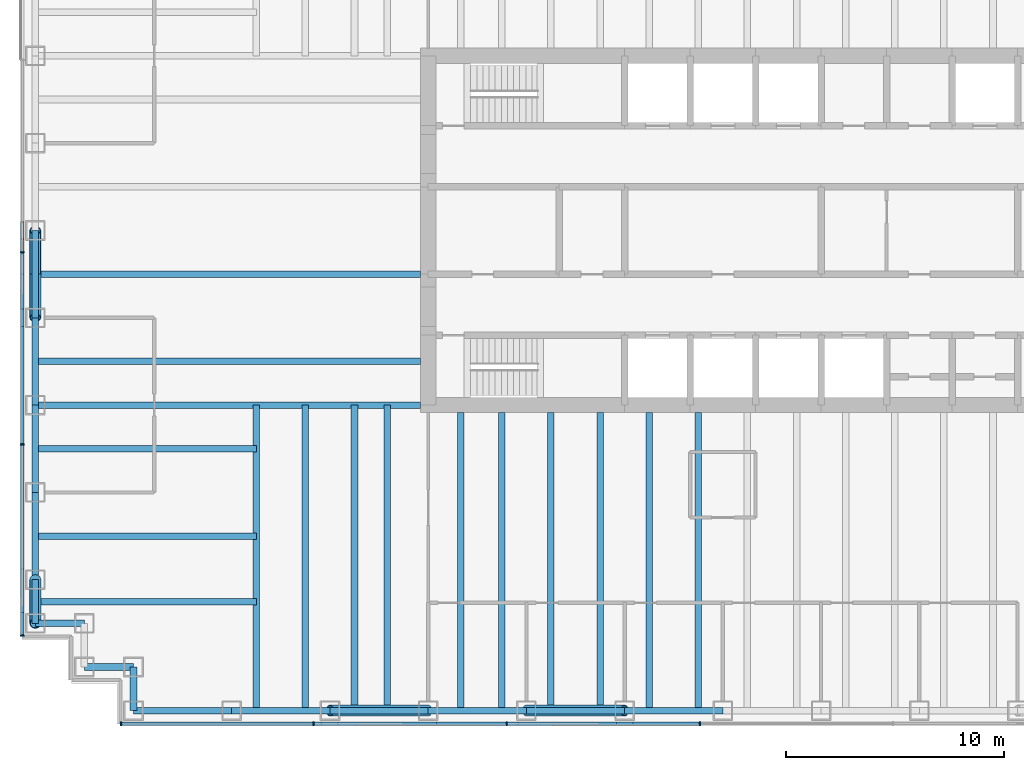
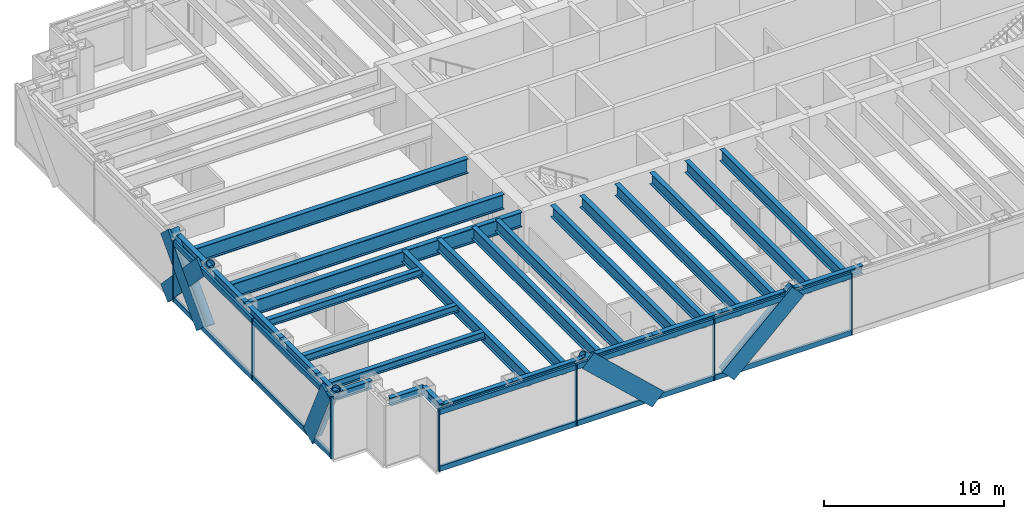
# One storey, part 2 of 15: 30 beams, 27 members, 2 elements without a shape of their own.
"""IFC4 building model written with IfcOpenShell, lengths in metres."""

import ifcopenshell
import ifcopenshell.guid

model = None  # the IFC model being written
_history = None  # IfcOwnerHistory: only IFC2X3 demands one
_inside = {}  # id of a spatial element -> (the spatial element, [elements in it])
_under = {}  # id of a project, library or spatial element -> (it, [spatial elements below it])
_declared = {}  # id of a project -> (the project, [libraries it declares])
_typed = {}  # id of a type object -> (the type object, [elements of that type])
_made_of = {}  # id of a material, layer set ... -> (it, [elements and type objects made of it])


def new_model(schema):
    """Start an empty IFC model of exactly this schema.

    Asked for "IFC4X3", IfcOpenShell would pick the latest addendum, in which some entities
    have other attributes; the version numbers below select the first issue.
    IFC2X3 requires an IfcOwnerHistory on every rooted entity: one is made here for all.
    """
    global model, _history
    if schema == "IFC4X3":
        model = ifcopenshell.file(schema_version=(4, 3, 0, 0))
    else:
        model = ifcopenshell.file(schema=schema)
    _inside.clear()
    _under.clear()
    _declared.clear()
    _typed.clear()
    _made_of.clear()
    _history = None
    if model.schema == "IFC2X3":
        org = make("IfcOrganization", Name="unknown")
        user = make(
            "IfcPersonAndOrganization",
            ThePerson=make("IfcPerson", FamilyName="unknown"),
            TheOrganization=org,
        )
        app = make(
            "IfcApplication",
            ApplicationDeveloper=org,
            Version="unknown",
            ApplicationFullName="unknown",
            ApplicationIdentifier="unknown",
        )
        _history = make(
            "IfcOwnerHistory",
            OwningUser=user,
            OwningApplication=app,
            ChangeAction="ADDED",
            CreationDate=0,
        )
    return model


def make(cls, **values):
    """One entity of the class cls with the attributes given. An attribute that is None is left unset."""
    return model.create_entity(
        cls, **{name: value for name, value in values.items() if value is not None}
    )


def rooted(cls, **values):
    """An entity with a GlobalId (a new one), such as an element, a storey or a relation."""
    return make(cls, GlobalId=ifcopenshell.guid.new(), OwnerHistory=_history, **values)


def si_unit(unit_type, name, prefix=None):
    """IfcSIUnit, for example si_unit("LENGTHUNIT", "METRE", prefix="MILLI")."""
    return make("IfcSIUnit", UnitType=unit_type, Prefix=prefix, Name=name)


def assignment(units):
    """IfcUnitAssignment: the units of a project."""
    return None if units is None else make("IfcUnitAssignment", Units=units)


def point(xyz):
    """IfcCartesianPoint."""
    return None if xyz is None else make("IfcCartesianPoint", Coordinates=xyz)


def direction(xyz):
    """IfcDirection."""
    return None if xyz is None else make("IfcDirection", DirectionRatios=xyz)


def frame(location, z_axis=None, x_axis=None):
    """IfcAxis2Placement3D, a coordinate frame: its origin and axes. An axis left out is left unset."""
    return make(
        "IfcAxis2Placement3D",
        Location=point(location),
        Axis=direction(z_axis),
        RefDirection=direction(x_axis),
    )


def frame_2d(location, x_axis=None):
    """IfcAxis2Placement2D, a coordinate frame in the plane: its origin and x axis."""
    return make(
        "IfcAxis2Placement2D", Location=point(location), RefDirection=direction(x_axis)
    )


def origin():
    """The frame at (0, 0, 0) with its axes left unset."""
    return frame((0.0, 0.0, 0.0))


def origin_2d():
    """The frame at (0, 0) in the plane with its x axis left unset."""
    return frame_2d((0.0, 0.0))


def place(relative_to, where):
    """IfcLocalPlacement: puts the frame where relative to a parent placement (None: the world)."""
    return make(
        "IfcLocalPlacement", PlacementRelTo=relative_to, RelativePlacement=where
    )


def context(
    kind, dimensions, precision=None, world=None, true_north=None, identifier=None
):
    """IfcGeometricRepresentationContext, for example the 3D "Model" context."""
    return make(
        "IfcGeometricRepresentationContext",
        ContextIdentifier=identifier,
        ContextType=kind,
        CoordinateSpaceDimension=dimensions,
        Precision=precision,
        WorldCoordinateSystem=world,
        TrueNorth=true_north,
    )


def subcontext(parent, identifier, kind, view, scale=None):
    """IfcGeometricRepresentationSubContext, for example "Body" below "Model"."""
    return make(
        "IfcGeometricRepresentationSubContext",
        ContextIdentifier=identifier,
        ContextType=kind,
        ParentContext=parent,
        TargetScale=scale,
        TargetView=view,
    )


def project(units=None, contexts=None):
    """IfcProject with its units and contexts."""
    return rooted(
        "IfcProject",
        Name="project",
        RepresentationContexts=contexts,
        UnitsInContext=assignment(units),
    )


def spatial(cls, under=None, at=None, **own):
    """A site, building, storey or space (cls), placed at a placement, below another one or the project."""
    s = rooted(cls, ObjectPlacement=at, **own)
    if under is not None:
        _under.setdefault(under.id(), (under, []))[1].append(s)
    return s


def profile(cls, at=None, kind="AREA", **sizes):
    """A parametric profile (cls). Its sizes go by their IFC names, for example OverallWidth=200.0."""
    return make(cls, ProfileType=kind, Position=at, **sizes)


def rectangle(**sizes):
    """IfcRectangleProfileDef."""
    return profile("IfcRectangleProfileDef", **sizes)


def hollow_circle(**sizes):
    """IfcCircleHollowProfileDef."""
    return profile("IfcCircleHollowProfileDef", **sizes)


def i_section(**sizes):
    """IfcIShapeProfileDef."""
    return profile("IfcIShapeProfileDef", **sizes)


def extrude(swept, where, along, depth):
    """IfcExtrudedAreaSolid: the profile swept, set in the frame where, extruded along a direction by depth."""
    return make(
        "IfcExtrudedAreaSolid",
        SweptArea=swept,
        Position=where,
        ExtrudedDirection=direction(along),
        Depth=depth,
    )


def shape(context_of_items, identifier, shape_type, items):
    """IfcShapeRepresentation: the items that make up one representation, for example the "Body"."""
    return make(
        "IfcShapeRepresentation",
        ContextOfItems=context_of_items,
        RepresentationIdentifier=identifier,
        RepresentationType=shape_type,
        Items=items,
    )


def material(Name=None, Category=None):
    """IfcMaterial."""
    return make("IfcMaterial", Name=Name, Category=Category)


def material_profile(
    of_material, cross_section, Name=None, Category=None, Priority=None
):
    """IfcMaterialProfile: a cross section and its material."""
    return make(
        "IfcMaterialProfile",
        Name=Name,
        Material=of_material,
        Profile=cross_section,
        Priority=Priority,
        Category=Category,
    )


def profile_set(profiles, Name=None, composite=None):
    """IfcMaterialProfileSet."""
    return make(
        "IfcMaterialProfileSet",
        Name=Name,
        MaterialProfiles=profiles,
        CompositeProfile=composite,
    )


def made_of(thing, what):
    """Note that an element or type object is made of a material, layer set ...; save() writes the relation."""
    if what is not None:
        _made_of.setdefault(what.id(), (what, []))[1].append(thing)
    return thing


def type_object(cls, material=None, **own):
    """A type object (cls), such as IfcWallType, which elements share."""
    return made_of(rooted(cls, **own), material)


def element(
    cls,
    number,
    at=None,
    inside=None,
    cuts=None,
    type_object=None,
    material=None,
    context=None,
    identifier="Body",
    shape_type=None,
    held_by="IfcProductDefinitionShape",
    body=None,
    shapes=None,
    **own,
):
    """One element of the class cls, such as IfcWall. Its Tag is "e" and its number.

    at: its placement. inside: the storey or other place that contains it. cuts: it is an
    opening in that element (IfcRelVoidsElement). A single representation is given by context,
    identifier, shape_type and body (its items); several are given by shapes. held_by: the class
    of the entity that holds the representations. save() writes the other relations.
    """
    e = rooted(cls, Tag="e%d" % number, ObjectPlacement=at, **own)
    if body is not None:
        shapes = [shape(context, identifier, shape_type, body)]
    if shapes is not None:
        e.Representation = make(held_by, Representations=shapes)
    if inside is not None:
        _inside.setdefault(inside.id(), (inside, []))[1].append(e)
    if cuts is not None:
        rooted(
            "IfcRelVoidsElement", RelatingBuildingElement=cuts, RelatedOpeningElement=e
        )
    if type_object is not None:
        _typed.setdefault(type_object.id(), (type_object, []))[1].append(e)
    return made_of(e, material)


def aggregate(whole, parts):
    """IfcRelAggregates: a whole, such as a stair, and the parts it consists of."""
    return rooted("IfcRelAggregates", RelatingObject=whole, RelatedObjects=parts)


def save(model, path):
    """Write the relations noted so far, then the file.

    IfcRelAggregates (storeys below a building ...), IfcRelContainedInSpatialStructure (elements
    in a storey), IfcRelDefinesByType, IfcRelAssociatesMaterial and IfcRelDeclares: one each for
    every whole, place, type object, material and project.
    """
    for whole, parts in _under.values():
        aggregate(whole, parts)
    for where, things in _inside.values():
        rooted(
            "IfcRelContainedInSpatialStructure",
            RelatedElements=things,
            RelatingStructure=where,
        )
    for kind, things in _typed.values():
        rooted("IfcRelDefinesByType", RelatedObjects=things, RelatingType=kind)
    for what, things in _made_of.values():
        rooted("IfcRelAssociatesMaterial", RelatedObjects=things, RelatingMaterial=what)
    for by, libraries in _declared.values():
        rooted("IfcRelDeclares", RelatingContext=by, RelatedDefinitions=libraries)
    model.write(path)


model = new_model("IFC4")

# Units and contexts
model_context = context("Model", 3, precision=1e-05, world=origin(), true_north=direction((0.0, 1.0)))
body_context = subcontext(model_context, "Body", "Model", "MODEL_VIEW")
ifc_project = project(units=[si_unit("LENGTHUNIT", "METRE"), si_unit("AREAUNIT", "SQUARE_METRE"), si_unit("VOLUMEUNIT", "CUBIC_METRE"), si_unit("PLANEANGLEUNIT", "RADIAN"), si_unit("MASSUNIT", "GRAM", prefix="KILO")], contexts=[model_context])

# Site, building, storey
site_placement = place(None, origin())
site = spatial("IfcSite", under=ifc_project, at=site_placement, CompositionType="ELEMENT")
building_placement = place(site_placement, origin())
building = spatial("IfcBuilding", under=site, at=building_placement, Name="Rheinbord Bourse Tower", CompositionType="ELEMENT")
storey_placement = place(building_placement, frame((0.0, 0.0, 292.10009765625)))
storey = spatial("IfcBuildingStorey", under=building, at=storey_placement, Name="L66", CompositionType="ELEMENT", Elevation=292.10009765625)

# Curtain wall, members
ifc_material_1 = material(Name="Dark glass and black aluminium", Category="aluminium")
curtain_wall_type = type_object("IfcCurtainWallType", Name="CW3 DARK GLASS CURTAIN WALL", PredefinedType="USERDEFINED", material=ifc_material_1)
curtain_wall_1_placement = place(storey_placement, origin())
curtain_wall_1 = element("IfcCurtainWall", 1, at=curtain_wall_1_placement, inside=storey, type_object=curtain_wall_type, Name="Curtain wall CW3 S L66", ObjectType="UNITISED CURTAIN WALL", PredefinedType="USERDEFINED")
ifc_material_2 = material(Name="Black anodised aluminium", Category="aluminium")
ifc_material_profile_1 = material_profile(ifc_material_2, rectangle(XDim=0.14990234375, YDim=1.10791015625, at=origin_2d()), Name="CW3 DIAGONAL MULLION 1108x150")
ifc_profile_set_1 = profile_set([ifc_material_profile_1], Name="Black anodised aluminium")
member_type_1 = type_object("IfcMemberType", Name="CW3 BLACK DIAGONAL MULLION", PredefinedType="USERDEFINED", material=ifc_profile_set_1)
member_1_placement = place(storey_placement, frame((18.0, 1.39990234375, 0.0), z_axis=(-0.73105922506, 0.0, 0.682314010889), x_axis=(0.0, -1.0, 0.0)))
member_1 = element("IfcMember", 2, at=member_1_placement, type_object=member_type_1, Name="CW3 diagonal mullion b", ObjectType="DIAGONAL MULLION", PredefinedType="USERDEFINED", context=body_context, shape_type="SweptSolid", body=[
    extrude(rectangle(XDim=0.14990234375, YDim=1.10791015625, at=origin_2d()), origin(), (0.0, 0.0, 1.0), 6.155517578125),
])
member_2_placement = place(storey_placement, frame((22.5, 1.39990234375, 0.0), z_axis=(0.73105922506, 0.0, 0.682314010889), x_axis=(0.0, 1.0, 0.0)))
member_2 = element("IfcMember", 3, at=member_2_placement, type_object=member_type_1, Name="CW3 diagonal mullion d", ObjectType="DIAGONAL MULLION", PredefinedType="USERDEFINED", context=body_context, shape_type="SweptSolid", body=[
    extrude(rectangle(XDim=0.14990234375, YDim=1.10791015625, at=origin_2d()), origin(), (0.0, 0.0, 1.0), 6.155517578125),
])

curtain_wall_2_placement = place(storey_placement, origin())
curtain_wall_2 = element("IfcCurtainWall", 4, at=curtain_wall_2_placement, inside=storey, type_object=curtain_wall_type, Name="Curtain wall CW3 W L66", ObjectType="UNITISED CURTAIN WALL", PredefinedType="USERDEFINED")
member_3_placement = place(storey_placement, frame((-0.60009765625, 24.0, 0.0), z_axis=(0.0, -0.689659376744, 0.724133926887), x_axis=(1.0, 0.0, 0.0)))
member_3 = element("IfcMember", 5, at=member_3_placement, type_object=member_type_1, Name="CW3 diagonal mullion a", ObjectType="DIAGONAL MULLION", PredefinedType="USERDEFINED", context=body_context, shape_type="SweptSolid", body=[
    extrude(rectangle(XDim=0.14990234375, YDim=1.10791015625, at=origin_2d()), origin(), (0.0, 0.0, 1.0), 5.800048828125),
])
member_4_placement = place(storey_placement, frame((-0.60009765625, 20.0, 0.0), z_axis=(0.0, 0.689659376744, 0.724133926887), x_axis=(-1.0, 0.0, 0.0)))
member_4 = element("IfcMember", 6, at=member_4_placement, type_object=member_type_1, Name="CW3 diagonal mullion b", ObjectType="DIAGONAL MULLION", PredefinedType="USERDEFINED", context=body_context, shape_type="SweptSolid", body=[
    extrude(rectangle(XDim=0.14990234375, YDim=1.10791015625, at=origin_2d()), origin(), (0.0, 0.0, 1.0), 5.800048828125),
])
member_5_placement = place(storey_placement, frame((-0.60009765625, 8.0, 0.0), z_axis=(0.0, -0.429937654825, 0.902858578607), x_axis=(1.0, 0.0, 0.0)))
member_5 = element("IfcMember", 7, at=member_5_placement, type_object=member_type_1, Name="CW3 diagonal mullion c", ObjectType="DIAGONAL MULLION", PredefinedType="USERDEFINED", context=body_context, shape_type="SweptSolid", body=[
    extrude(rectangle(XDim=0.14990234375, YDim=1.10791015625, at=origin_2d()), origin(), (0.0, 0.0, 1.0), 4.65185546875),
])

# Member
ifc_material_3 = material(Name="Black anodised aluminium", Category="aluminium")
ifc_material_profile_2 = material_profile(ifc_material_3, rectangle(XDim=0.199951171875, YDim=0.06494140625, at=origin_2d()), Name="CW3 MULLION 65x200")
ifc_profile_set_2 = profile_set([ifc_material_profile_2], Name="Black anodised aluminium")
member_type_2 = type_object("IfcMemberType", Name="CW3 BLACK MULLION", PredefinedType="MULLION", material=ifc_profile_set_2)
member_6_placement = place(storey_placement, frame((3.9326171875, 1.39990234375, 0.0), z_axis=(0.0, 0.0, 1.0), x_axis=(0.0, 1.0, 0.0)))
member_6 = element("IfcMember", 8, at=member_6_placement, type_object=member_type_2, Name="CW3 mullion 1", PredefinedType="MULLION", context=body_context, shape_type="SweptSolid", body=[
    extrude(rectangle(XDim=0.199951171875, YDim=0.06494140625, at=origin_2d()), origin(), (0.0, 0.0, 1.0), 4.199951171875),
])

member_7_placement = place(storey_placement, frame((12.75, 1.39990234375, 0.0), z_axis=(0.0, 0.0, 1.0), x_axis=(0.0, 1.0, 0.0)))
member_7 = element("IfcMember", 9, at=member_7_placement, type_object=member_type_2, Name="CW3 mullion 2", PredefinedType="MULLION", context=body_context, shape_type="SweptSolid", body=[
    extrude(rectangle(XDim=0.199951171875, YDim=0.06494140625, at=origin_2d()), origin(), (0.0, 0.0, 1.0), 4.199951171875),
])

member_8_placement = place(storey_placement, frame((21.60009765625, 1.39990234375, 0.0), z_axis=(0.0, 0.0, 1.0), x_axis=(0.0, 1.0, 0.0)))
member_8 = element("IfcMember", 10, at=member_8_placement, type_object=member_type_2, Name="CW3 mullion 3", PredefinedType="MULLION", context=body_context, shape_type="SweptSolid", body=[
    extrude(rectangle(XDim=0.199951171875, YDim=0.06494140625, at=origin_2d()), origin(), (0.0, 0.0, 1.0), 4.199951171875),
])

member_9_placement = place(storey_placement, frame((30.449951171875, 1.39990234375, 0.0), z_axis=(0.0, 0.0, 1.0), x_axis=(0.0, 1.0, 0.0)))
member_9 = element("IfcMember", 11, at=member_9_placement, type_object=member_type_2, Name="CW3 mullion 4", PredefinedType="MULLION", context=body_context, shape_type="SweptSolid", body=[
    extrude(rectangle(XDim=0.199951171875, YDim=0.06494140625, at=origin_2d()), origin(), (0.0, 0.0, 1.0), 4.199951171875),
])

member_10_placement = place(storey_placement, frame((-0.60009765625, 23.0, 0.0), z_axis=(0.0, 0.0, 1.0), x_axis=(1.0, 0.0, 0.0)))
member_10 = element("IfcMember", 12, at=member_10_placement, type_object=member_type_2, Name="CW3 mullion 3", PredefinedType="MULLION", context=body_context, shape_type="SweptSolid", body=[
    extrude(rectangle(XDim=0.199951171875, YDim=0.06494140625, at=origin_2d()), origin(), (0.0, 0.0, 1.0), 4.199951171875),
])

member_11_placement = place(storey_placement, frame((-0.60009765625, 14.199951171875, 0.0), z_axis=(0.0, 0.0, 1.0), x_axis=(1.0, 0.0, 0.0)))
member_11 = element("IfcMember", 13, at=member_11_placement, type_object=member_type_2, Name="CW3 mullion 4", PredefinedType="MULLION", context=body_context, shape_type="SweptSolid", body=[
    extrude(rectangle(XDim=0.199951171875, YDim=0.06494140625, at=origin_2d()), origin(), (0.0, 0.0, 1.0), 4.199951171875),
])

member_12_placement = place(storey_placement, frame((-0.60009765625, 5.4326171875, 0.0), z_axis=(0.0, 0.0, 1.0), x_axis=(1.0, 0.0, 0.0)))
member_12 = element("IfcMember", 14, at=member_12_placement, type_object=member_type_2, Name="CW3 mullion 5", PredefinedType="MULLION", context=body_context, shape_type="SweptSolid", body=[
    extrude(rectangle(XDim=0.199951171875, YDim=0.06494140625, at=origin_2d()), origin(), (0.0, 0.0, 1.0), 4.199951171875),
])

ifc_material_4 = material(Name="Black anodised aluminium", Category="aluminium")
ifc_material_profile_3 = material_profile(ifc_material_4, rectangle(XDim=0.14990234375, YDim=0.35009765625, at=origin_2d()), Name="CW3 TRANSOM 350x150")
ifc_profile_set_3 = profile_set([ifc_material_profile_3], Name="Black anodised aluminium")
member_type_3 = type_object("IfcMemberType", Name="CW3 BLACK TRANSOM", PredefinedType="USERDEFINED", material=ifc_profile_set_3)
member_13_placement = place(storey_placement, frame((3.965087890625, 1.39990234375, 0.1748046875), z_axis=(1.0, 0.0, 0.0), x_axis=(0.0, 1.0, 0.0)))
member_13 = element("IfcMember", 15, at=member_13_placement, type_object=member_type_3, Name="CW3 transom 1.1", ObjectType="TRANSOM", PredefinedType="USERDEFINED", context=body_context, shape_type="SweptSolid", body=[
    extrude(rectangle(XDim=0.14990234375, YDim=0.35009765625, at=origin_2d()), origin(), (0.0, 0.0, 1.0), 8.75244140625),
])

member_14_placement = place(storey_placement, frame((3.965087890625, 1.39990234375, 4.02490234375), z_axis=(1.0, 0.0, 0.0), x_axis=(0.0, 1.0, 0.0)))
member_14 = element("IfcMember", 16, at=member_14_placement, type_object=member_type_3, Name="CW3 transom 1.2", ObjectType="TRANSOM", PredefinedType="USERDEFINED", context=body_context, shape_type="SweptSolid", body=[
    extrude(rectangle(XDim=0.14990234375, YDim=0.35009765625, at=origin_2d()), origin(), (0.0, 0.0, 1.0), 8.75244140625),
])

member_15_placement = place(storey_placement, frame((12.782470703125, 1.39990234375, 0.1748046875), z_axis=(1.0, 0.0, 0.0), x_axis=(0.0, 1.0, 0.0)))
member_15 = element("IfcMember", 17, at=member_15_placement, type_object=member_type_3, Name="CW3 transom 2.1", ObjectType="TRANSOM", PredefinedType="USERDEFINED", context=body_context, shape_type="SweptSolid", body=[
    extrude(rectangle(XDim=0.14990234375, YDim=0.35009765625, at=origin_2d()), origin(), (0.0, 0.0, 1.0), 8.784912109375),
])

member_16_placement = place(storey_placement, frame((12.782470703125, 1.39990234375, 4.02490234375), z_axis=(1.0, 0.0, 0.0), x_axis=(0.0, 1.0, 0.0)))
member_16 = element("IfcMember", 18, at=member_16_placement, type_object=member_type_3, Name="CW3 transom 2.2", ObjectType="TRANSOM", PredefinedType="USERDEFINED", context=body_context, shape_type="SweptSolid", body=[
    extrude(rectangle(XDim=0.14990234375, YDim=0.35009765625, at=origin_2d()), origin(), (0.0, 0.0, 1.0), 8.784912109375),
])

member_17_placement = place(storey_placement, frame((21.632568359375, 1.39990234375, 0.1748046875), z_axis=(1.0, 0.0, 0.0), x_axis=(0.0, 1.0, 0.0)))
member_17 = element("IfcMember", 19, at=member_17_placement, type_object=member_type_3, Name="CW3 transom 3.1", ObjectType="TRANSOM", PredefinedType="USERDEFINED", context=body_context, shape_type="SweptSolid", body=[
    extrude(rectangle(XDim=0.14990234375, YDim=0.35009765625, at=origin_2d()), origin(), (0.0, 0.0, 1.0), 8.784912109375),
])

member_18_placement = place(storey_placement, frame((21.632568359375, 1.39990234375, 4.02490234375), z_axis=(1.0, 0.0, 0.0), x_axis=(0.0, 1.0, 0.0)))
member_18 = element("IfcMember", 20, at=member_18_placement, type_object=member_type_3, Name="CW3 transom 3.2", ObjectType="TRANSOM", PredefinedType="USERDEFINED", context=body_context, shape_type="SweptSolid", body=[
    extrude(rectangle(XDim=0.14990234375, YDim=0.35009765625, at=origin_2d()), origin(), (0.0, 0.0, 1.0), 8.784912109375),
])

aggregate(curtain_wall_1, [member_6, member_7, member_8, member_9, member_13, member_14, member_15, member_16, member_17, member_18, member_1, member_2])

member_19_placement = place(storey_placement, frame((-0.60009765625, 22.967529296875, 0.1748046875), z_axis=(0.0, -1.0, 0.0), x_axis=(1.0, 0.0, 0.0)))
member_19 = element("IfcMember", 21, at=member_19_placement, type_object=member_type_3, Name="CW3 transom 3.1", ObjectType="TRANSOM", PredefinedType="USERDEFINED", context=body_context, shape_type="SweptSolid", body=[
    extrude(rectangle(XDim=0.14990234375, YDim=0.35009765625, at=origin_2d()), origin(), (0.0, 0.0, 1.0), 8.735107421875),
])

member_20_placement = place(storey_placement, frame((-0.60009765625, 22.967529296875, 4.02490234375), z_axis=(0.0, -1.0, 0.0), x_axis=(1.0, 0.0, 0.0)))
member_20 = element("IfcMember", 22, at=member_20_placement, type_object=member_type_3, Name="CW3 transom 3.2", ObjectType="TRANSOM", PredefinedType="USERDEFINED", context=body_context, shape_type="SweptSolid", body=[
    extrude(rectangle(XDim=0.14990234375, YDim=0.35009765625, at=origin_2d()), origin(), (0.0, 0.0, 1.0), 8.735107421875),
])

member_21_placement = place(storey_placement, frame((-0.60009765625, 14.16748046875, 0.1748046875), z_axis=(0.0, -1.0, 0.0), x_axis=(1.0, 0.0, 0.0)))
member_21 = element("IfcMember", 23, at=member_21_placement, type_object=member_type_3, Name="CW3 transom 4.1", ObjectType="TRANSOM", PredefinedType="USERDEFINED", context=body_context, shape_type="SweptSolid", body=[
    extrude(rectangle(XDim=0.14990234375, YDim=0.35009765625, at=origin_2d()), origin(), (0.0, 0.0, 1.0), 8.702392578125),
])

member_22_placement = place(storey_placement, frame((-0.60009765625, 14.16748046875, 4.02490234375), z_axis=(0.0, -1.0, 0.0), x_axis=(1.0, 0.0, 0.0)))
member_22 = element("IfcMember", 24, at=member_22_placement, type_object=member_type_3, Name="CW3 transom 4.2", ObjectType="TRANSOM", PredefinedType="USERDEFINED", context=body_context, shape_type="SweptSolid", body=[
    extrude(rectangle(XDim=0.14990234375, YDim=0.35009765625, at=origin_2d()), origin(), (0.0, 0.0, 1.0), 8.702392578125),
])

aggregate(curtain_wall_2, [member_10, member_11, member_12, member_19, member_20, member_21, member_22, member_3, member_4, member_5])

# Beams
ifc_material_5 = material(Name="Steel S460", Category="steel")
ifc_material_profile_4 = material_profile(ifc_material_5, i_section(OverallWidth=0.302001953125, OverallDepth=1.008056640625, WebThickness=0.02099609375, FlangeThickness=0.0400390625, at=origin_2d()), Name="HEM 1000")
ifc_profile_set_4 = profile_set([ifc_material_profile_4], Name="Steel S460")
beam_type_1 = type_object("IfcBeamType", Name="END BEAM HEM 1000", PredefinedType="BEAM", material=ifc_profile_set_4)
for number, where, z_axis, x_axis, name in (
    (25, (0.0, 18.0, 3.535888671875), (1.0, 0.0, 0.0), (0.0, 1.0, 0.0), "End beam west 18 L67"),
    (26, (0.0, 22.0, 3.535888671875), (1.0, 0.0, 0.0), (0.0, 1.0, 0.0), "End beam west 22 L67"),
):
    element("IfcBeam", number, at=place(storey_placement, frame(where, z_axis=z_axis, x_axis=x_axis)), inside=storey, type_object=beam_type_1, Name=name, PredefinedType="BEAM", context=body_context, shape_type="SweptSolid", body=[
        extrude(i_section(OverallWidth=0.302001953125, OverallDepth=1.008056640625, WebThickness=0.02099609375, FlangeThickness=0.0400390625, at=origin_2d()), origin(), (0.0, 0.0, 1.0), 17.64990234375),
    ])
ifc_material_6 = material(Name="Steel S460", Category="steel")
ifc_material_profile_5 = material_profile(ifc_material_6, i_section(OverallWidth=0.300048828125, OverallDepth=0.800048828125, WebThickness=0.017578125, FlangeThickness=0.032958984375, at=origin_2d()), Name="HEB 800")
ifc_profile_set_5 = profile_set([ifc_material_profile_5], Name="Steel S460")
beam_type_2 = type_object("IfcBeamType", Name="FLOOR BEAM HEB 800", PredefinedType="BEAM", material=ifc_profile_set_5)
for number, where, z_axis, x_axis, name in (
    (27, (10.125, 2.0, 3.639892578125), (0.0, 1.0, 0.0), (-1.0, 0.0, 0.0), "Floor beam S-9a L67"),
    (28, (12.375, 2.0, 3.639892578125), (0.0, 1.0, 0.0), (-1.0, 0.0, 0.0), "Floor beam S-9b L67"),
    (29, (14.625, 2.0, 3.639892578125), (0.0, 1.0, 0.0), (-1.0, 0.0, 0.0), "Floor beam S-13.5a L67"),
    (30, (16.125, 2.0, 3.639892578125), (0.0, 1.0, 0.0), (-1.0, 0.0, 0.0), "Floor beam S-13.5b L67"),
):
    element("IfcBeam", number, at=place(storey_placement, frame(where, z_axis=z_axis, x_axis=x_axis)), inside=storey, type_object=beam_type_2, Name=name, PredefinedType="BEAM", context=body_context, shape_type="SweptSolid", body=[
        extrude(i_section(OverallWidth=0.300048828125, OverallDepth=0.800048828125, WebThickness=0.017578125, FlangeThickness=0.032958984375, at=origin_2d()), origin(), (0.0, 0.0, 1.0), 14.0),
    ])
for number, where, z_axis, x_axis, name in (
    (31, (19.5, 2.0, 3.639892578125), (0.0, 1.0, 0.0), (-1.0, 0.0, 0.0), "Floor beam S-18a L67"),
    (32, (21.375, 2.0, 3.639892578125), (0.0, 1.0, 0.0), (-1.0, 0.0, 0.0), "Floor beam S-18b L67"),
    (33, (23.625, 2.0, 3.639892578125), (0.0, 1.0, 0.0), (-1.0, 0.0, 0.0), "Floor beam S-22.5a L67"),
    (34, (25.875, 2.0, 3.639892578125), (0.0, 1.0, 0.0), (-1.0, 0.0, 0.0), "Floor beam S-22.5b L67"),
    (35, (28.125, 2.0, 3.639892578125), (0.0, 1.0, 0.0), (-1.0, 0.0, 0.0), "Floor beam S-27a L67"),
    (36, (30.375, 2.0, 3.639892578125), (0.0, 1.0, 0.0), (-1.0, 0.0, 0.0), "Floor beam S-27b L67"),
):
    element("IfcBeam", number, at=place(storey_placement, frame(where, z_axis=z_axis, x_axis=x_axis)), inside=storey, type_object=beam_type_2, Name=name, PredefinedType="BEAM", context=body_context, shape_type="SweptSolid", body=[
        extrude(i_section(OverallWidth=0.300048828125, OverallDepth=0.800048828125, WebThickness=0.017578125, FlangeThickness=0.032958984375, at=origin_2d()), origin(), (0.0, 0.0, 1.0), 13.64990234375),
    ])
ifc_material_7 = material(Name="Steel S460", Category="steel")
ifc_material_profile_6 = material_profile(ifc_material_7, i_section(OverallWidth=0.302001953125, OverallDepth=1.008056640625, WebThickness=0.02099609375, FlangeThickness=0.0400390625, at=origin_2d()), Name="HEM 1000")
ifc_profile_set_6 = profile_set([ifc_material_profile_6], Name="Steel S460")
beam_type_3 = type_object("IfcBeamType", Name="GIRDER HEM 1000", PredefinedType="BEAM", material=ifc_profile_set_6)
beam_1_placement = place(storey_placement, frame((0.0, 16.0, 3.535888671875), z_axis=(1.0, 0.0, 0.0), x_axis=(0.0, 1.0, 0.0)))
element("IfcBeam", 37, at=beam_1_placement, inside=storey, type_object=beam_type_3, Name="Girder west 16 L67", PredefinedType="BEAM", context=body_context, shape_type="SweptSolid", body=[
    extrude(i_section(OverallWidth=0.302001953125, OverallDepth=1.008056640625, WebThickness=0.02099609375, FlangeThickness=0.0400390625, at=origin_2d()), origin(), (0.0, 0.0, 1.0), 17.64990234375),
])

# Members
ifc_material_8 = material(Name="Steel S460", Category="steel")
ifc_material_profile_7 = material_profile(ifc_material_8, hollow_circle(Radius=0.25390625, WallThickness=0.030029296875, at=origin_2d()), Name="CHS 508x30")
ifc_profile_set_7 = profile_set([ifc_material_profile_7], Name="Steel S460")
member_type_4 = type_object("IfcMemberType", Name="MEGABRACE CHS 508x30", PredefinedType="BRACE", material=ifc_profile_set_7)
for number, where, z_axis, x_axis, name in (
    (38, (18.0, 2.0, 0.0), (-0.73105922506, 0.0, 0.682314010889), (0.0, -1.0, 0.0), "Megabrace S face line b L66"),
    (39, (22.5, 2.0, 0.0), (0.73105922506, 0.0, 0.682314010889), (0.0, 1.0, 0.0), "Megabrace S face line d L66"),
):
    element("IfcMember", number, at=place(storey_placement, frame(where, z_axis=z_axis, x_axis=x_axis)), inside=storey, type_object=member_type_4, Name=name, PredefinedType="BRACE", context=body_context, shape_type="SweptSolid", body=[
        extrude(hollow_circle(Radius=0.25390625, WallThickness=0.030029296875, at=origin_2d()), origin(), (0.0, 0.0, 1.0), 6.155517578125),
    ])
for number, where, z_axis, x_axis, name in (
    (40, (0.0, 24.0, 0.0), (0.0, -0.689659376744, 0.724133926887), (1.0, 0.0, 0.0), "Megabrace W face line a L66"),
    (41, (0.0, 20.0, 0.0), (0.0, 0.689659376744, 0.724133926887), (-1.0, 0.0, 0.0), "Megabrace W face line b L66"),
):
    element("IfcMember", number, at=place(storey_placement, frame(where, z_axis=z_axis, x_axis=x_axis)), inside=storey, type_object=member_type_4, Name=name, PredefinedType="BRACE", context=body_context, shape_type="SweptSolid", body=[
        extrude(hollow_circle(Radius=0.25390625, WallThickness=0.030029296875, at=origin_2d()), origin(), (0.0, 0.0, 1.0), 5.800048828125),
    ])
member_23_placement = place(storey_placement, frame((0.0, 8.0, 0.0), z_axis=(0.0, -0.429937654825, 0.902858578607), x_axis=(1.0, 0.0, 0.0)))
element("IfcMember", 42, at=member_23_placement, inside=storey, type_object=member_type_4, Name="Megabrace W face line c L66", PredefinedType="BRACE", context=body_context, shape_type="SweptSolid", body=[
    extrude(hollow_circle(Radius=0.25390625, WallThickness=0.030029296875, at=origin_2d()), origin(), (0.0, 0.0, 1.0), 4.65185546875),
])

# Beams
ifc_material_9 = material(Name="Steel S460", Category="steel")
ifc_material_profile_8 = material_profile(ifc_material_9, i_section(OverallWidth=0.300048828125, OverallDepth=0.550048828125, WebThickness=0.014892578125, FlangeThickness=0.029052734375, at=origin_2d()), Name="HEB 550")
ifc_profile_set_8 = profile_set([ifc_material_profile_8], Name="Steel S460")
beam_type_4 = type_object("IfcBeamType", Name="SPANDREL HEB 550", PredefinedType="SPANDREL", material=ifc_profile_set_8)
for number, where, z_axis, x_axis, name in (
    (43, (4.5, 2.0, 3.764892578125), (1.0, 0.0, 0.0), (0.0, 1.0, 0.0), "Spandrel SW-E-S-9 under L67"),
    (44, (9.0, 2.0, 3.764892578125), (1.0, 0.0, 0.0), (0.0, 1.0, 0.0), "Spandrel S-9-S-13.5 under L67"),
    (45, (13.5, 2.0, 3.764892578125), (1.0, 0.0, 0.0), (0.0, 1.0, 0.0), "Spandrel S-13.5-S-18 under L67"),
    (46, (18.0, 2.0, 3.764892578125), (1.0, 0.0, 0.0), (0.0, 1.0, 0.0), "Spandrel S-18-S-22.5 under L67"),
    (47, (22.5, 2.0, 3.764892578125), (1.0, 0.0, 0.0), (0.0, 1.0, 0.0), "Spandrel S-22.5-S-27 under L67"),
    (48, (27.0, 2.0, 3.764892578125), (1.0, 0.0, 0.0), (0.0, 1.0, 0.0), "Spandrel S-27-S-31.5 under L67"),
):
    element("IfcBeam", number, at=place(storey_placement, frame(where, z_axis=z_axis, x_axis=x_axis)), inside=storey, type_object=beam_type_4, Name=name, PredefinedType="SPANDREL", context=body_context, shape_type="SweptSolid", body=[
        extrude(i_section(OverallWidth=0.300048828125, OverallDepth=0.550048828125, WebThickness=0.014892578125, FlangeThickness=0.029052734375, at=origin_2d()), origin(), (0.0, 0.0, 1.0), 4.5),
    ])
for number, where, z_axis, x_axis, name in (
    (49, (0.0, 24.0, 3.764892578125), (0.0, -1.0, 0.0), (1.0, 0.0, 0.0), "Spandrel W-24-W-20 under L67"),
    (50, (0.0, 20.0, 3.764892578125), (0.0, -1.0, 0.0), (1.0, 0.0, 0.0), "Spandrel W-20-W-16 under L67"),
    (51, (0.0, 16.0, 3.764892578125), (0.0, -1.0, 0.0), (1.0, 0.0, 0.0), "Spandrel W-16-W-12 under L67"),
    (52, (0.0, 12.0, 3.764892578125), (0.0, -1.0, 0.0), (1.0, 0.0, 0.0), "Spandrel W-12-W-8 under L67"),
):
    element("IfcBeam", number, at=place(storey_placement, frame(where, z_axis=z_axis, x_axis=x_axis)), inside=storey, type_object=beam_type_4, Name=name, PredefinedType="SPANDREL", context=body_context, shape_type="SweptSolid", body=[
        extrude(i_section(OverallWidth=0.300048828125, OverallDepth=0.550048828125, WebThickness=0.014892578125, FlangeThickness=0.029052734375, at=origin_2d()), origin(), (0.0, 0.0, 1.0), 4.0),
    ])
beam_2_placement = place(storey_placement, frame((0.0, 8.0, 3.764892578125), z_axis=(0.0, -1.0, 0.0), x_axis=(1.0, 0.0, 0.0)))
element("IfcBeam", 53, at=beam_2_placement, inside=storey, type_object=beam_type_4, Name="Spandrel W-8-SW-A under L67", PredefinedType="SPANDREL", context=body_context, shape_type="SweptSolid", body=[
    extrude(i_section(OverallWidth=0.300048828125, OverallDepth=0.550048828125, WebThickness=0.014892578125, FlangeThickness=0.029052734375, at=origin_2d()), origin(), (0.0, 0.0, 1.0), 2.0),
])
for number, where, z_axis, x_axis, name in (
    (54, (0.0, 6.0, 3.764892578125), (1.0, 0.0, 0.0), (0.0, 1.0, 0.0), "Spandrel SW-A-SW-B under L67"),
    (55, (2.25, 4.0, 3.764892578125), (1.0, 0.0, 0.0), (0.0, 1.0, 0.0), "Spandrel SW-C-SW-D under L67"),
):
    element("IfcBeam", number, at=place(storey_placement, frame(where, z_axis=z_axis, x_axis=x_axis)), inside=storey, type_object=beam_type_4, Name=name, PredefinedType="SPANDREL", context=body_context, shape_type="SweptSolid", body=[
        extrude(i_section(OverallWidth=0.300048828125, OverallDepth=0.550048828125, WebThickness=0.014892578125, FlangeThickness=0.029052734375, at=origin_2d()), origin(), (0.0, 0.0, 1.0), 2.25),
    ])
beam_3_placement = place(storey_placement, frame((4.5, 4.0, 3.764892578125), z_axis=(0.0, -1.0, 0.0), x_axis=(1.0, 0.0, 0.0)))
element("IfcBeam", 56, at=beam_3_placement, inside=storey, type_object=beam_type_4, Name="Spandrel SW-D-SW-E under L67", PredefinedType="SPANDREL", context=body_context, shape_type="SweptSolid", body=[
    extrude(i_section(OverallWidth=0.300048828125, OverallDepth=0.550048828125, WebThickness=0.014892578125, FlangeThickness=0.029052734375, at=origin_2d()), origin(), (0.0, 0.0, 1.0), 2.0),
])
ifc_material_10 = material(Name="Steel S460", Category="steel")
ifc_material_profile_9 = material_profile(ifc_material_10, i_section(OverallWidth=0.300048828125, OverallDepth=0.5, WebThickness=0.014404296875, FlangeThickness=0.028076171875, at=origin_2d()), Name="HEB 500")
ifc_profile_set_9 = profile_set([ifc_material_profile_9], Name="Steel S460")
beam_type_5 = type_object("IfcBeamType", Name="TIE BEAM HEB 500", PredefinedType="JOIST", material=ifc_profile_set_9)
for number, where, z_axis, x_axis, name in (
    (57, (0.0, 7.0, 3.789794921875), (1.0, 0.0, 0.0), (0.0, 1.0, 0.0), "Tie west 7 L67"),
    (58, (0.0, 10.0, 3.789794921875), (1.0, 0.0, 0.0), (0.0, 1.0, 0.0), "Tie west 10 L67"),
    (59, (0.0, 14.0, 3.789794921875), (1.0, 0.0, 0.0), (0.0, 1.0, 0.0), "Tie west 14 L67"),
):
    element("IfcBeam", number, at=place(storey_placement, frame(where, z_axis=z_axis, x_axis=x_axis)), inside=storey, type_object=beam_type_5, Name=name, PredefinedType="JOIST", context=body_context, shape_type="SweptSolid", body=[
        extrude(i_section(OverallWidth=0.300048828125, OverallDepth=0.5, WebThickness=0.014404296875, FlangeThickness=0.028076171875, at=origin_2d()), origin(), (0.0, 0.0, 1.0), 10.125),
    ])

save(model, "model.ifc")
